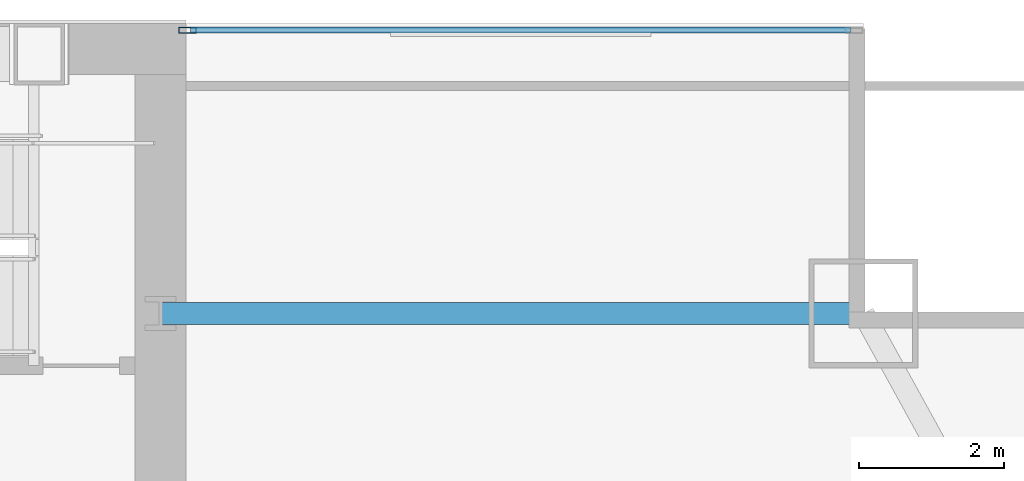
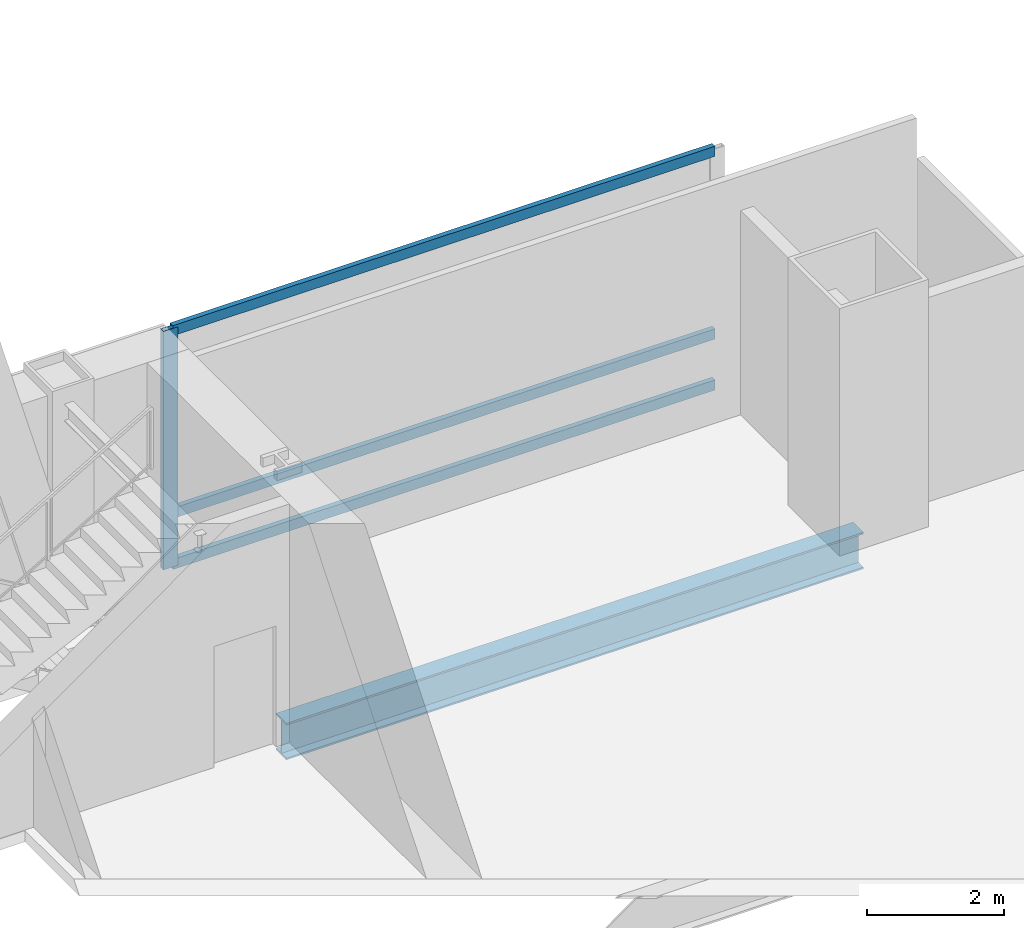
# One storey, part 21 of 32: 4 members, 1 beam, 1 element without a shape of its own.
"""IFC4 building model written with IfcOpenShell, lengths in metres."""

from ifc_helpers import new_model, si_unit, direction, frame, origin, origin_2d, place, context, subcontext, project, spatial, hollow_rectangle, i_section, extrude, material, material_profile, profile_set, type_object, element, aggregate, save


model = new_model("IFC4")

# Units and contexts
model_context = context("Model", 3, precision=1e-05, world=origin(), true_north=direction((0.0, 1.0)))
body_context = subcontext(model_context, "Body", "Model", "MODEL_VIEW")
ifc_project = project(units=[si_unit("LENGTHUNIT", "METRE"), si_unit("AREAUNIT", "SQUARE_METRE"), si_unit("VOLUMEUNIT", "CUBIC_METRE"), si_unit("PLANEANGLEUNIT", "RADIAN"), si_unit("MASSUNIT", "GRAM", prefix="KILO")], contexts=[model_context])

# Site, building, storey
site_placement = place(None, origin())
site = spatial("IfcSite", under=ifc_project, at=site_placement, CompositionType="ELEMENT")
building_placement = place(site_placement, origin())
building = spatial("IfcBuilding", under=site, at=building_placement, Name="Khoronbel Lancet Exchange", CompositionType="ELEMENT")
storey_placement = place(building_placement, frame((0.0, 0.0, 106.60009765625)))
storey = spatial("IfcBuildingStorey", under=building, at=storey_placement, Name="L25", CompositionType="ELEMENT", Elevation=106.60009765625)

# Beam
ifc_material_1 = material(Name="Steel S355", Category="steel")
ifc_material_profile_1 = material_profile(ifc_material_1, i_section(OverallWidth=0.300048828125, OverallDepth=0.64990234375, WebThickness=0.01611328125, FlangeThickness=0.031005859375, at=origin_2d()), Name="HEB 650")
ifc_profile_set_1 = profile_set([ifc_material_profile_1], Name="Steel S355")
beam_type = type_object("IfcBeamType", Name="BM-BSP1", PredefinedType="SPANDREL", material=ifc_profile_set_1)
beam_placement = place(storey_placement, frame((66.050048828125, 49.699951171875, -0.525146484375), z_axis=(-1.0, 0.0, 0.0), x_axis=(0.0, -1.0, 0.0)))
element("IfcBeam", 1, at=beam_placement, inside=storey, type_object=beam_type, Name="Level L25 north flank tie spandrel SP23", PredefinedType="SPANDREL", context=body_context, shape_type="SweptSolid", body=[
    extrude(i_section(OverallWidth=0.300048828125, OverallDepth=0.64990234375, WebThickness=0.01611328125, FlangeThickness=0.031005859375, at=origin_2d()), origin(), (0.0, 0.0, 1.0), 9.699951171875),
])

# Curtain wall, members
ifc_material_2 = material(Name="Low-E Solar Control Insulating Glass", Category="glass")
curtain_wall_type = type_object("IfcCurtainWallType", Name="CW-2", PredefinedType="NOTDEFINED", material=ifc_material_2)
curtain_wall_placement = place(storey_placement, origin())
curtain_wall = element("IfcCurtainWall", 2, at=curtain_wall_placement, inside=storey, type_object=curtain_wall_type, Name="Unitised curtain wall CW-L25-NEFLK", PredefinedType="NOTDEFINED")
ifc_material_3 = material(Name="Bronze-Anodised Aluminium 6063-T6", Category="aluminium")
ifc_material_profile_2 = material_profile(ifc_material_3, hollow_rectangle(XDim=0.0849609375, YDim=0.239990234375, WallThickness=0.006103515625, at=origin_2d()), Name="ALU MULLION 85x240")
ifc_profile_set_2 = profile_set([ifc_material_profile_2], Name="Bronze-Anodised Aluminium 6063-T6")
member_type_1 = type_object("IfcMemberType", Name="MEM-CWM1", PredefinedType="MULLION", material=ifc_profile_set_2)
member_1_placement = place(storey_placement, frame((56.722412109375, 53.610107421875, 0.0), z_axis=(0.0, 0.0, 1.0), x_axis=(0.0, -1.0, 0.0)))
member_1 = element("IfcMember", 3, at=member_1_placement, type_object=member_type_1, Name="CW2 mullion 2", PredefinedType="MULLION", context=body_context, shape_type="SweptSolid", body=[
    extrude(hollow_rectangle(XDim=0.0849609375, YDim=0.239990234375, WallThickness=0.006103515625, at=origin_2d()), origin(), (0.0, 0.0, 1.0), 4.239990234375),
])
ifc_material_profile_3 = material_profile(ifc_material_3, hollow_rectangle(XDim=0.0849609375, YDim=0.179931640625, WallThickness=0.0048828125, at=origin_2d()), Name="ALU TRANSOM 85x180")
ifc_profile_set_3 = profile_set([ifc_material_profile_3], Name="Bronze-Anodised Aluminium 6063-T6")
member_type_2 = type_object("IfcMemberType", Name="MEM-CWT1", PredefinedType="USERDEFINED", material=ifc_profile_set_3)
member_2_placement = place(storey_placement, frame((65.875, 53.610107421875, 0.04248046875), z_axis=(-1.0, 0.0, 0.0), x_axis=(0.0, -1.0, 0.0)))
member_2 = element("IfcMember", 4, at=member_2_placement, type_object=member_type_2, Name="CW2 transom 1.1", ObjectType="TRANSOM", PredefinedType="USERDEFINED", context=body_context, shape_type="SweptSolid", body=[
    extrude(hollow_rectangle(XDim=0.0849609375, YDim=0.179931640625, WallThickness=0.0048828125, at=origin_2d()), origin(), (0.0, 0.0, 1.0), 9.110107421875),
])
member_3_placement = place(storey_placement, frame((65.875, 53.610107421875, 0.949951171875), z_axis=(-1.0, 0.0, 0.0), x_axis=(0.0, -1.0, 0.0)))
member_3 = element("IfcMember", 5, at=member_3_placement, type_object=member_type_2, Name="CW2 transom 1.2", ObjectType="TRANSOM", PredefinedType="USERDEFINED", context=body_context, shape_type="SweptSolid", body=[
    extrude(hollow_rectangle(XDim=0.0849609375, YDim=0.179931640625, WallThickness=0.0048828125, at=origin_2d()), origin(), (0.0, 0.0, 1.0), 9.110107421875),
])
member_4_placement = place(storey_placement, frame((65.875, 53.610107421875, 4.197509765625), z_axis=(-1.0, 0.0, 0.0), x_axis=(0.0, -1.0, 0.0)))
member_4 = element("IfcMember", 6, at=member_4_placement, type_object=member_type_2, Name="CW2 transom 1.3", ObjectType="TRANSOM", PredefinedType="USERDEFINED", context=body_context, shape_type="SweptSolid", body=[
    extrude(hollow_rectangle(XDim=0.0849609375, YDim=0.179931640625, WallThickness=0.0048828125, at=origin_2d()), origin(), (0.0, 0.0, 1.0), 9.110107421875),
])
aggregate(curtain_wall, [member_1, member_2, member_3, member_4])

save(model, "model.ifc")
